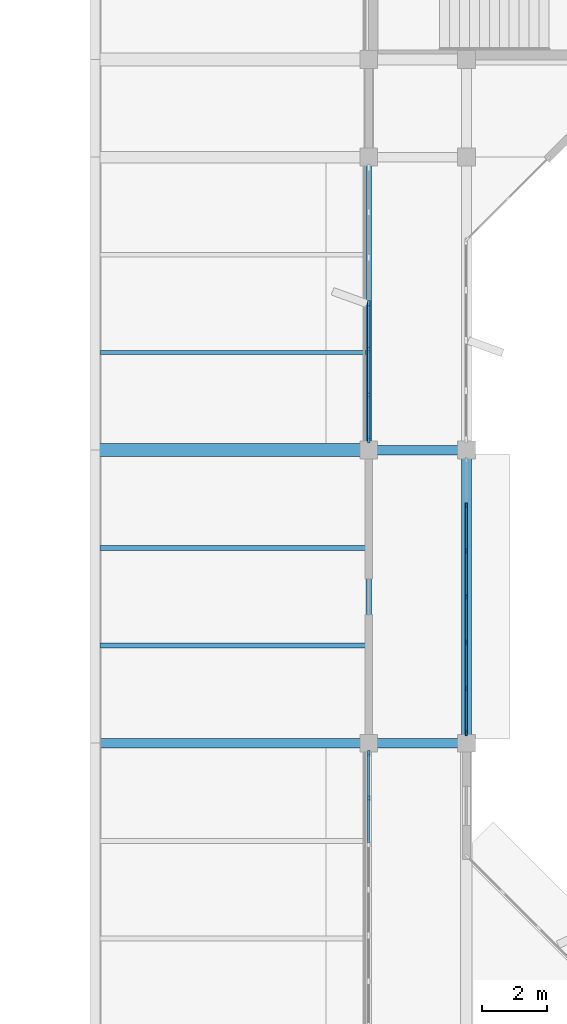
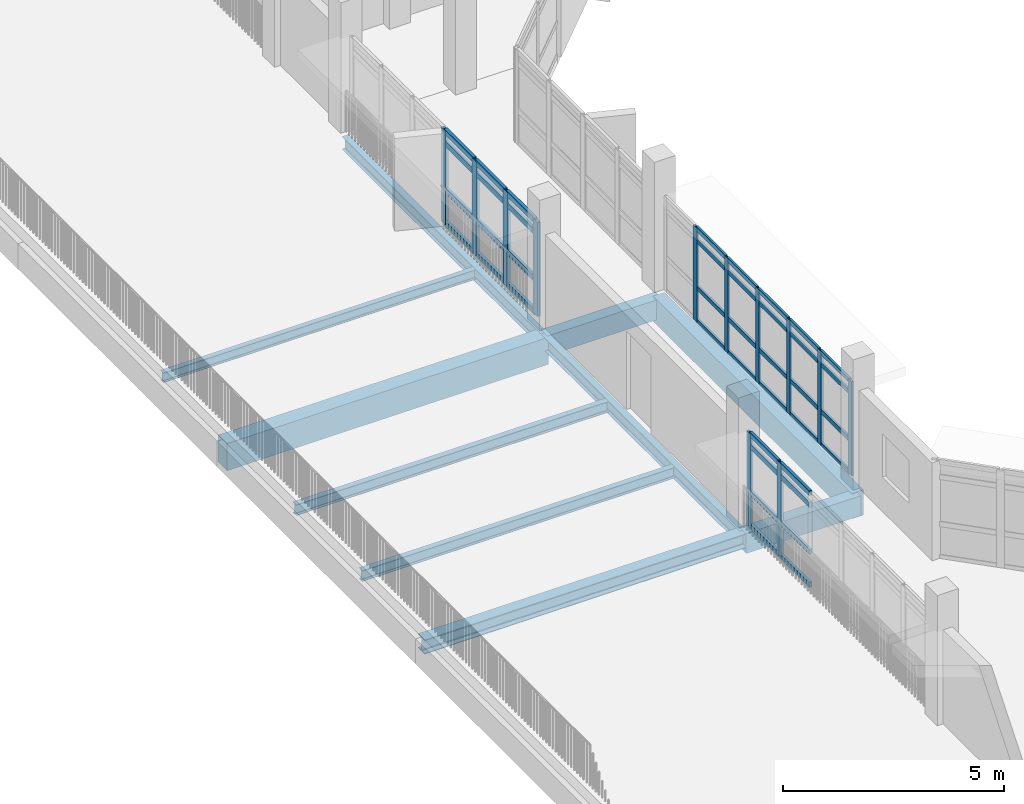
# One storey, part 13 of 92: 52 members, 10 beams, 3 elements without a shape of their own.
"""IFC4 building model written with IfcOpenShell, lengths in metres."""

from ifc_helpers import new_model, si_unit, direction, frame, origin, origin_2d, place, context, subcontext, project, spatial, rectangle, i_section, extrude, material, material_profile, profile_set, type_object, element, aggregate, save


model = new_model("IFC4")

# Units and contexts
model_context = context("Model", 3, precision=1e-05, world=origin(), true_north=direction((0.0, 1.0)))
body_context = subcontext(model_context, "Body", "Model", "MODEL_VIEW")
ifc_project = project(units=[si_unit("LENGTHUNIT", "METRE"), si_unit("AREAUNIT", "SQUARE_METRE"), si_unit("VOLUMEUNIT", "CUBIC_METRE"), si_unit("PLANEANGLEUNIT", "RADIAN"), si_unit("MASSUNIT", "GRAM", prefix="KILO")], contexts=[model_context])

# Site, building, storey
site_placement = place(None, origin())
site = spatial("IfcSite", under=ifc_project, at=site_placement, CompositionType="ELEMENT")
building_placement = place(site_placement, origin())
building = spatial("IfcBuilding", under=site, at=building_placement, Name="Vanh Quang Courtyard School", CompositionType="ELEMENT")
storey_placement = place(building_placement, frame((0.0, 0.0, 7.800048828125)))
storey = spatial("IfcBuildingStorey", under=building, at=storey_placement, Name="L02", CompositionType="ELEMENT", Elevation=7.800048828125)

# Beams
ifc_material_1 = material(Name="Concrete C35/45", Category="concrete")
ifc_material_profile_1 = material_profile(ifc_material_1, rectangle(XDim=0.300048828125, YDim=0.550048828125, at=origin_2d()), Name="RC-BM 300x550")
ifc_profile_set_1 = profile_set([ifc_material_profile_1], Name="Concrete C35/45")
beam_type_1 = type_object("IfcBeamType", Name="BM-RC-300x550", PredefinedType="BEAM", material=ifc_profile_set_1)
for number, where, z_axis, x_axis, name in (
    (1, (37.800048828125, 50.39990234375, -0.594970703125), (1.0, 0.0, 0.0), (0.0, 1.0, 0.0), "Beam B-07 (L02)"),
    (2, (37.800048828125, 59.39990234375, -0.594970703125), (1.0, 0.0, 0.0), (0.0, 1.0, 0.0), "Beam B-07 (L02)"),
):
    element("IfcBeam", number, at=place(storey_placement, frame(where, z_axis=z_axis, x_axis=x_axis)), inside=storey, type_object=beam_type_1, Name=name, PredefinedType="BEAM", context=body_context, shape_type="SweptSolid", body=[
        extrude(rectangle(XDim=0.300048828125, YDim=0.550048828125, at=origin_2d()), origin(), (0.0, 0.0, 1.0), 3.0),
    ])
ifc_material_profile_2 = material_profile(ifc_material_1, rectangle(XDim=0.39990234375, YDim=0.75, at=origin_2d()), Name="RC-BM 400x750")
ifc_profile_set_2 = profile_set([ifc_material_profile_2], Name="Concrete C35/45")
beam_type_2 = type_object("IfcBeamType", Name="BM-RC-400x750", PredefinedType="BEAM", material=ifc_profile_set_2)
beam_1_placement = place(storey_placement, frame((29.39990234375, 59.39990234375, -0.695068359375), z_axis=(1.0, 0.0, 0.0), x_axis=(0.0, 1.0, 0.0)))
element("IfcBeam", 3, at=beam_1_placement, inside=storey, type_object=beam_type_2, Name="Beam B-03 (L02)", PredefinedType="BEAM", context=body_context, shape_type="SweptSolid", body=[
    extrude(rectangle(XDim=0.39990234375, YDim=0.75, at=origin_2d()), origin(), (0.0, 0.0, 1.0), 8.400146484375),
])
ifc_material_profile_3 = material_profile(ifc_material_1, rectangle(XDim=0.300048828125, YDim=0.699951171875, at=origin_2d()), Name="RC-SP 300x700")
ifc_profile_set_3 = profile_set([ifc_material_profile_3], Name="Concrete C35/45")
beam_type_3 = type_object("IfcBeamType", Name="BM-SP-300x700", PredefinedType="SPANDREL", material=ifc_profile_set_3)
beam_2_placement = place(storey_placement, frame((40.800048828125, 50.39990234375, -0.650146484375), z_axis=(0.0, 1.0, 0.0), x_axis=(-1.0, 0.0, 0.0)))
element("IfcBeam", 4, at=beam_2_placement, inside=storey, type_object=beam_type_3, Name="Beam BS-01 (L02)", PredefinedType="SPANDREL", context=body_context, shape_type="SweptSolid", body=[
    extrude(rectangle(XDim=0.300048828125, YDim=0.699951171875, at=origin_2d()), origin(), (0.0, 0.0, 1.0), 9.0),
])
ifc_material_2 = material(Name="Structural steel EN 10025-2 S355J2", Category="steel")
ifc_material_profile_4 = material_profile(ifc_material_2, i_section(OverallWidth=0.300048828125, OverallDepth=0.389892578125, WebThickness=0.010986328125, FlangeThickness=0.01904296875, FilletRadius=0.027099609375, at=origin_2d()), Name="HEA 400")
ifc_profile_set_4 = profile_set([ifc_material_profile_4], Name="Structural steel EN 10025-2 S355J2")
beam_type_4 = type_object("IfcBeamType", Name="BM-STL-HEA400", PredefinedType="BEAM", material=ifc_profile_set_4)
beam_3_placement = place(storey_placement, frame((29.39990234375, 50.39990234375, -0.51513671875), z_axis=(1.0, 0.0, 0.0), x_axis=(0.0, 1.0, 0.0)))
element("IfcBeam", 5, at=beam_3_placement, inside=storey, type_object=beam_type_4, Name="Beam SB-08 (L02)", PredefinedType="BEAM", context=body_context, shape_type="SweptSolid", body=[
    extrude(i_section(OverallWidth=0.300048828125, OverallDepth=0.389892578125, WebThickness=0.010986328125, FlangeThickness=0.01904296875, FilletRadius=0.027099609375, at=origin_2d()), origin(), (0.0, 0.0, 1.0), 8.400146484375),
])
ifc_material_profile_5 = material_profile(ifc_material_2, i_section(OverallWidth=0.169921875, OverallDepth=0.360107421875, WebThickness=0.008056640625, FlangeThickness=0.0126953125, FilletRadius=0.01806640625, at=origin_2d()), Name="IPE 360")
ifc_profile_set_5 = profile_set([ifc_material_profile_5], Name="Structural steel EN 10025-2 S355J2")
beam_type_5 = type_object("IfcBeamType", Name="BM-STL-IPE360", PredefinedType="BEAM", material=ifc_profile_set_5)
for number, where, z_axis, x_axis, name in (
    (6, (37.800048828125, 50.39990234375, -0.5), (0.0, 1.0, 0.0), (-1.0, 0.0, 0.0), "Beam SB-06 (L02)"),
    (7, (37.800048828125, 59.39990234375, -0.5), (0.0, 1.0, 0.0), (-1.0, 0.0, 0.0), "Beam SB-06 (L02)"),
):
    element("IfcBeam", number, at=place(storey_placement, frame(where, z_axis=z_axis, x_axis=x_axis)), inside=storey, type_object=beam_type_5, Name=name, PredefinedType="BEAM", context=body_context, shape_type="SweptSolid", body=[
        extrude(i_section(OverallWidth=0.169921875, OverallDepth=0.360107421875, WebThickness=0.008056640625, FlangeThickness=0.0126953125, FilletRadius=0.01806640625, at=origin_2d()), origin(), (0.0, 0.0, 1.0), 9.0),
    ])

# Curtain wall, members
ifc_material_3 = material(Name="Thermally broken aluminium unitised curtain wall", Category="aluminium")
curtain_wall_type = type_object("IfcCurtainWallType", Name="CW-SYS-48", PredefinedType="NOTDEFINED", material=ifc_material_3)
curtain_wall_1_placement = place(storey_placement, origin())
curtain_wall_1 = element("IfcCurtainWall", 8, at=curtain_wall_1_placement, inside=storey, type_object=curtain_wall_type, Name="Curtain Wall CW-48 (L02)", PredefinedType="NOTDEFINED")
ifc_material_4 = material(Name="Anodised aluminium 6063-T6", Category="aluminium")
ifc_material_profile_6 = material_profile(ifc_material_4, rectangle(XDim=0.06005859375, YDim=0.159912109375, at=origin_2d()), Name="ALU-MUL 60x160")
ifc_profile_set_6 = profile_set([ifc_material_profile_6], Name="Anodised aluminium 6063-T6")
member_type_1 = type_object("IfcMemberType", Name="CW-MUL-60x160", PredefinedType="MULLION", material=ifc_profile_set_6)
member_1_placement = place(storey_placement, frame((40.800048828125, 57.71142578125, 0.0), z_axis=(0.0, 0.0, 1.0), x_axis=(1.0, 0.0, 0.0)))
member_1 = element("IfcMember", 9, at=member_1_placement, type_object=member_type_1, Name="CW-48 mullion 2", PredefinedType="MULLION", context=body_context, shape_type="SweptSolid", body=[
    extrude(rectangle(XDim=0.06005859375, YDim=0.159912109375, at=origin_2d()), origin(), (0.0, 0.0, 1.0), 2.599853515625),
])
member_2_placement = place(storey_placement, frame((40.800048828125, 56.3056640625, 0.0), z_axis=(0.0, 0.0, 1.0), x_axis=(1.0, 0.0, 0.0)))
member_2 = element("IfcMember", 10, at=member_2_placement, type_object=member_type_1, Name="CW-48 mullion 3", PredefinedType="MULLION", context=body_context, shape_type="SweptSolid", body=[
    extrude(rectangle(XDim=0.06005859375, YDim=0.159912109375, at=origin_2d()), origin(), (0.0, 0.0, 1.0), 2.599853515625),
])
member_3_placement = place(storey_placement, frame((40.800048828125, 54.89990234375, 0.0), z_axis=(0.0, 0.0, 1.0), x_axis=(1.0, 0.0, 0.0)))
member_3 = element("IfcMember", 11, at=member_3_placement, type_object=member_type_1, Name="CW-48 mullion 4", PredefinedType="MULLION", context=body_context, shape_type="SweptSolid", body=[
    extrude(rectangle(XDim=0.06005859375, YDim=0.159912109375, at=origin_2d()), origin(), (0.0, 0.0, 1.0), 2.599853515625),
])
member_4_placement = place(storey_placement, frame((40.800048828125, 53.494384765625, 0.0), z_axis=(0.0, 0.0, 1.0), x_axis=(1.0, 0.0, 0.0)))
member_4 = element("IfcMember", 12, at=member_4_placement, type_object=member_type_1, Name="CW-48 mullion 5", PredefinedType="MULLION", context=body_context, shape_type="SweptSolid", body=[
    extrude(rectangle(XDim=0.06005859375, YDim=0.159912109375, at=origin_2d()), origin(), (0.0, 0.0, 1.0), 2.599853515625),
])
member_5_placement = place(storey_placement, frame((40.800048828125, 52.088623046875, 0.0), z_axis=(0.0, 0.0, 1.0), x_axis=(1.0, 0.0, 0.0)))
member_5 = element("IfcMember", 13, at=member_5_placement, type_object=member_type_1, Name="CW-48 mullion 6", PredefinedType="MULLION", context=body_context, shape_type="SweptSolid", body=[
    extrude(rectangle(XDim=0.06005859375, YDim=0.159912109375, at=origin_2d()), origin(), (0.0, 0.0, 1.0), 2.599853515625),
])
member_6_placement = place(storey_placement, frame((40.800048828125, 50.712890625, 0.0), z_axis=(0.0, 0.0, 1.0), x_axis=(1.0, 0.0, 0.0)))
member_6 = element("IfcMember", 14, at=member_6_placement, type_object=member_type_1, Name="CW-48 mullion 7", PredefinedType="MULLION", context=body_context, shape_type="SweptSolid", body=[
    extrude(rectangle(XDim=0.06005859375, YDim=0.159912109375, at=origin_2d()), origin(), (0.0, 0.0, 1.0), 2.599853515625),
])

curtain_wall_2_placement = place(storey_placement, origin())
curtain_wall_2 = element("IfcCurtainWall", 15, at=curtain_wall_2_placement, inside=storey, type_object=curtain_wall_type, Name="Curtain Wall CW-48 (L02)", PredefinedType="NOTDEFINED")
ifc_material_profile_7 = material_profile(ifc_material_4, rectangle(XDim=0.070068359375, YDim=0.179931640625, at=origin_2d()), Name="ALU-MUL 70x180")
ifc_profile_set_7 = profile_set([ifc_material_profile_7], Name="Anodised aluminium 6063-T6")
member_type_2 = type_object("IfcMemberType", Name="CW-MUL-70x180", PredefinedType="MULLION", material=ifc_profile_set_7)
member_7_placement = place(storey_placement, frame((37.800048828125, 48.71142578125, 0.0), z_axis=(0.0, 0.0, 1.0), x_axis=(-1.0, 0.0, 0.0)))
member_7 = element("IfcMember", 16, at=member_7_placement, type_object=member_type_2, Name="CW-48 mullion 6", PredefinedType="MULLION", context=body_context, shape_type="SweptSolid", body=[
    extrude(rectangle(XDim=0.070068359375, YDim=0.179931640625, at=origin_2d()), origin(), (0.0, 0.0, 1.0), 2.599853515625),
])
member_8_placement = place(storey_placement, frame((37.800048828125, 50.08203125, 0.0), z_axis=(0.0, 0.0, 1.0), x_axis=(-1.0, 0.0, 0.0)))
member_8 = element("IfcMember", 17, at=member_8_placement, type_object=member_type_2, Name="CW-48 mullion 7", PredefinedType="MULLION", context=body_context, shape_type="SweptSolid", body=[
    extrude(rectangle(XDim=0.070068359375, YDim=0.179931640625, at=origin_2d()), origin(), (0.0, 0.0, 1.0), 2.599853515625),
])

curtain_wall_3_placement = place(storey_placement, origin())
curtain_wall_3 = element("IfcCurtainWall", 18, at=curtain_wall_3_placement, inside=storey, type_object=curtain_wall_type, Name="Curtain Wall CW-48 (L02)", PredefinedType="NOTDEFINED")
ifc_material_profile_8 = material_profile(ifc_material_4, rectangle(XDim=0.080078125, YDim=0.199951171875, at=origin_2d()), Name="ALU-MUL 80x200")
ifc_profile_set_8 = profile_set([ifc_material_profile_8], Name="Anodised aluminium 6063-T6")
member_type_3 = type_object("IfcMemberType", Name="CW-MUL-80x200", PredefinedType="MULLION", material=ifc_profile_set_8)
member_9_placement = place(storey_placement, frame((37.800048828125, 59.722900390625, 0.0), z_axis=(0.0, 0.0, 1.0), x_axis=(-1.0, 0.0, 0.0)))
member_9 = element("IfcMember", 19, at=member_9_placement, type_object=member_type_3, Name="CW-48 mullion 1", PredefinedType="MULLION", context=body_context, shape_type="SweptSolid", body=[
    extrude(rectangle(XDim=0.080078125, YDim=0.199951171875, at=origin_2d()), origin(), (0.0, 0.0, 1.0), 2.599853515625),
])
member_10_placement = place(storey_placement, frame((37.800048828125, 61.088623046875, 0.0), z_axis=(0.0, 0.0, 1.0), x_axis=(-1.0, 0.0, 0.0)))
member_10 = element("IfcMember", 20, at=member_10_placement, type_object=member_type_3, Name="CW-48 mullion 2", PredefinedType="MULLION", context=body_context, shape_type="SweptSolid", body=[
    extrude(rectangle(XDim=0.080078125, YDim=0.199951171875, at=origin_2d()), origin(), (0.0, 0.0, 1.0), 2.599853515625),
])
member_11_placement = place(storey_placement, frame((37.800048828125, 62.494384765625, 0.0), z_axis=(0.0, 0.0, 1.0), x_axis=(-1.0, 0.0, 0.0)))
member_11 = element("IfcMember", 21, at=member_11_placement, type_object=member_type_3, Name="CW-48 mullion 3", PredefinedType="MULLION", context=body_context, shape_type="SweptSolid", body=[
    extrude(rectangle(XDim=0.080078125, YDim=0.199951171875, at=origin_2d()), origin(), (0.0, 0.0, 1.0), 2.599853515625),
])
member_12_placement = place(storey_placement, frame((37.800048828125, 63.89990234375, 0.0), z_axis=(0.0, 0.0, 1.0), x_axis=(-1.0, 0.0, 0.0)))
member_12 = element("IfcMember", 22, at=member_12_placement, type_object=member_type_3, Name="CW-48 mullion 4", PredefinedType="MULLION", context=body_context, shape_type="SweptSolid", body=[
    extrude(rectangle(XDim=0.080078125, YDim=0.199951171875, at=origin_2d()), origin(), (0.0, 0.0, 1.0), 2.599853515625),
])

# Member
ifc_material_profile_9 = material_profile(ifc_material_4, rectangle(XDim=0.06005859375, YDim=0.1201171875, at=origin_2d()), Name="ALU-TRN 60x120")
ifc_profile_set_9 = profile_set([ifc_material_profile_9], Name="Anodised aluminium 6063-T6")
member_type_4 = type_object("IfcMemberType", Name="CW-TRN-60x120", PredefinedType="USERDEFINED", material=ifc_profile_set_9)
member_13_placement = place(storey_placement, frame((40.800048828125, 57.681396484375, 0.030029296875), z_axis=(0.0, -1.0, 0.0), x_axis=(1.0, 0.0, 0.0)))
member_13 = element("IfcMember", 23, at=member_13_placement, type_object=member_type_4, Name="CW-48 transom 2.1", ObjectType="TRANSOM", PredefinedType="USERDEFINED", context=body_context, shape_type="SweptSolid", body=[
    extrude(rectangle(XDim=0.06005859375, YDim=0.1201171875, at=origin_2d()), origin(), (0.0, 0.0, 1.0), 1.345703125),
])

member_14_placement = place(storey_placement, frame((40.800048828125, 57.681396484375, 0.949951171875), z_axis=(0.0, -1.0, 0.0), x_axis=(1.0, 0.0, 0.0)))
member_14 = element("IfcMember", 24, at=member_14_placement, type_object=member_type_4, Name="CW-48 transom 2.2", ObjectType="TRANSOM", PredefinedType="USERDEFINED", context=body_context, shape_type="SweptSolid", body=[
    extrude(rectangle(XDim=0.06005859375, YDim=0.1201171875, at=origin_2d()), origin(), (0.0, 0.0, 1.0), 1.345703125),
])

member_15_placement = place(storey_placement, frame((40.800048828125, 57.681396484375, 2.25), z_axis=(0.0, -1.0, 0.0), x_axis=(1.0, 0.0, 0.0)))
member_15 = element("IfcMember", 25, at=member_15_placement, type_object=member_type_4, Name="CW-48 transom 2.3", ObjectType="TRANSOM", PredefinedType="USERDEFINED", context=body_context, shape_type="SweptSolid", body=[
    extrude(rectangle(XDim=0.06005859375, YDim=0.1201171875, at=origin_2d()), origin(), (0.0, 0.0, 1.0), 1.345703125),
])

member_16_placement = place(storey_placement, frame((40.800048828125, 57.681396484375, 2.570068359375), z_axis=(0.0, -1.0, 0.0), x_axis=(1.0, 0.0, 0.0)))
member_16 = element("IfcMember", 26, at=member_16_placement, type_object=member_type_4, Name="CW-48 transom 2.4", ObjectType="TRANSOM", PredefinedType="USERDEFINED", context=body_context, shape_type="SweptSolid", body=[
    extrude(rectangle(XDim=0.06005859375, YDim=0.1201171875, at=origin_2d()), origin(), (0.0, 0.0, 1.0), 1.345703125),
])

member_17_placement = place(storey_placement, frame((40.800048828125, 56.275634765625, 0.030029296875), z_axis=(0.0, -1.0, 0.0), x_axis=(1.0, 0.0, 0.0)))
member_17 = element("IfcMember", 27, at=member_17_placement, type_object=member_type_4, Name="CW-48 transom 3.1", ObjectType="TRANSOM", PredefinedType="USERDEFINED", context=body_context, shape_type="SweptSolid", body=[
    extrude(rectangle(XDim=0.06005859375, YDim=0.1201171875, at=origin_2d()), origin(), (0.0, 0.0, 1.0), 1.345703125),
])

member_18_placement = place(storey_placement, frame((40.800048828125, 56.275634765625, 0.949951171875), z_axis=(0.0, -1.0, 0.0), x_axis=(1.0, 0.0, 0.0)))
member_18 = element("IfcMember", 28, at=member_18_placement, type_object=member_type_4, Name="CW-48 transom 3.2", ObjectType="TRANSOM", PredefinedType="USERDEFINED", context=body_context, shape_type="SweptSolid", body=[
    extrude(rectangle(XDim=0.06005859375, YDim=0.1201171875, at=origin_2d()), origin(), (0.0, 0.0, 1.0), 1.345703125),
])

member_19_placement = place(storey_placement, frame((40.800048828125, 56.275634765625, 2.25), z_axis=(0.0, -1.0, 0.0), x_axis=(1.0, 0.0, 0.0)))
member_19 = element("IfcMember", 29, at=member_19_placement, type_object=member_type_4, Name="CW-48 transom 3.3", ObjectType="TRANSOM", PredefinedType="USERDEFINED", context=body_context, shape_type="SweptSolid", body=[
    extrude(rectangle(XDim=0.06005859375, YDim=0.1201171875, at=origin_2d()), origin(), (0.0, 0.0, 1.0), 1.345703125),
])

member_20_placement = place(storey_placement, frame((40.800048828125, 56.275634765625, 2.570068359375), z_axis=(0.0, -1.0, 0.0), x_axis=(1.0, 0.0, 0.0)))
member_20 = element("IfcMember", 30, at=member_20_placement, type_object=member_type_4, Name="CW-48 transom 3.4", ObjectType="TRANSOM", PredefinedType="USERDEFINED", context=body_context, shape_type="SweptSolid", body=[
    extrude(rectangle(XDim=0.06005859375, YDim=0.1201171875, at=origin_2d()), origin(), (0.0, 0.0, 1.0), 1.345703125),
])

member_21_placement = place(storey_placement, frame((40.800048828125, 54.8701171875, 0.030029296875), z_axis=(0.0, -1.0, 0.0), x_axis=(1.0, 0.0, 0.0)))
member_21 = element("IfcMember", 31, at=member_21_placement, type_object=member_type_4, Name="CW-48 transom 4.1", ObjectType="TRANSOM", PredefinedType="USERDEFINED", context=body_context, shape_type="SweptSolid", body=[
    extrude(rectangle(XDim=0.06005859375, YDim=0.1201171875, at=origin_2d()), origin(), (0.0, 0.0, 1.0), 1.345703125),
])

member_22_placement = place(storey_placement, frame((40.800048828125, 54.8701171875, 0.949951171875), z_axis=(0.0, -1.0, 0.0), x_axis=(1.0, 0.0, 0.0)))
member_22 = element("IfcMember", 32, at=member_22_placement, type_object=member_type_4, Name="CW-48 transom 4.2", ObjectType="TRANSOM", PredefinedType="USERDEFINED", context=body_context, shape_type="SweptSolid", body=[
    extrude(rectangle(XDim=0.06005859375, YDim=0.1201171875, at=origin_2d()), origin(), (0.0, 0.0, 1.0), 1.345703125),
])

member_23_placement = place(storey_placement, frame((40.800048828125, 54.8701171875, 2.25), z_axis=(0.0, -1.0, 0.0), x_axis=(1.0, 0.0, 0.0)))
member_23 = element("IfcMember", 33, at=member_23_placement, type_object=member_type_4, Name="CW-48 transom 4.3", ObjectType="TRANSOM", PredefinedType="USERDEFINED", context=body_context, shape_type="SweptSolid", body=[
    extrude(rectangle(XDim=0.06005859375, YDim=0.1201171875, at=origin_2d()), origin(), (0.0, 0.0, 1.0), 1.345703125),
])

member_24_placement = place(storey_placement, frame((40.800048828125, 54.8701171875, 2.570068359375), z_axis=(0.0, -1.0, 0.0), x_axis=(1.0, 0.0, 0.0)))
member_24 = element("IfcMember", 34, at=member_24_placement, type_object=member_type_4, Name="CW-48 transom 4.4", ObjectType="TRANSOM", PredefinedType="USERDEFINED", context=body_context, shape_type="SweptSolid", body=[
    extrude(rectangle(XDim=0.06005859375, YDim=0.1201171875, at=origin_2d()), origin(), (0.0, 0.0, 1.0), 1.345703125),
])

member_25_placement = place(storey_placement, frame((40.800048828125, 53.46435546875, 0.030029296875), z_axis=(0.0, -1.0, 0.0), x_axis=(1.0, 0.0, 0.0)))
member_25 = element("IfcMember", 35, at=member_25_placement, type_object=member_type_4, Name="CW-48 transom 5.1", ObjectType="TRANSOM", PredefinedType="USERDEFINED", context=body_context, shape_type="SweptSolid", body=[
    extrude(rectangle(XDim=0.06005859375, YDim=0.1201171875, at=origin_2d()), origin(), (0.0, 0.0, 1.0), 1.345703125),
])

member_26_placement = place(storey_placement, frame((40.800048828125, 53.46435546875, 0.949951171875), z_axis=(0.0, -1.0, 0.0), x_axis=(1.0, 0.0, 0.0)))
member_26 = element("IfcMember", 36, at=member_26_placement, type_object=member_type_4, Name="CW-48 transom 5.2", ObjectType="TRANSOM", PredefinedType="USERDEFINED", context=body_context, shape_type="SweptSolid", body=[
    extrude(rectangle(XDim=0.06005859375, YDim=0.1201171875, at=origin_2d()), origin(), (0.0, 0.0, 1.0), 1.345703125),
])

member_27_placement = place(storey_placement, frame((40.800048828125, 53.46435546875, 2.25), z_axis=(0.0, -1.0, 0.0), x_axis=(1.0, 0.0, 0.0)))
member_27 = element("IfcMember", 37, at=member_27_placement, type_object=member_type_4, Name="CW-48 transom 5.3", ObjectType="TRANSOM", PredefinedType="USERDEFINED", context=body_context, shape_type="SweptSolid", body=[
    extrude(rectangle(XDim=0.06005859375, YDim=0.1201171875, at=origin_2d()), origin(), (0.0, 0.0, 1.0), 1.345703125),
])

member_28_placement = place(storey_placement, frame((40.800048828125, 53.46435546875, 2.570068359375), z_axis=(0.0, -1.0, 0.0), x_axis=(1.0, 0.0, 0.0)))
member_28 = element("IfcMember", 38, at=member_28_placement, type_object=member_type_4, Name="CW-48 transom 5.4", ObjectType="TRANSOM", PredefinedType="USERDEFINED", context=body_context, shape_type="SweptSolid", body=[
    extrude(rectangle(XDim=0.06005859375, YDim=0.1201171875, at=origin_2d()), origin(), (0.0, 0.0, 1.0), 1.345703125),
])

member_29_placement = place(storey_placement, frame((40.800048828125, 52.05859375, 0.030029296875), z_axis=(0.0, -1.0, 0.0), x_axis=(1.0, 0.0, 0.0)))
member_29 = element("IfcMember", 39, at=member_29_placement, type_object=member_type_4, Name="CW-48 transom 6.1", ObjectType="TRANSOM", PredefinedType="USERDEFINED", context=body_context, shape_type="SweptSolid", body=[
    extrude(rectangle(XDim=0.06005859375, YDim=0.1201171875, at=origin_2d()), origin(), (0.0, 0.0, 1.0), 1.315673828125),
])

member_30_placement = place(storey_placement, frame((40.800048828125, 52.05859375, 0.949951171875), z_axis=(0.0, -1.0, 0.0), x_axis=(1.0, 0.0, 0.0)))
member_30 = element("IfcMember", 40, at=member_30_placement, type_object=member_type_4, Name="CW-48 transom 6.2", ObjectType="TRANSOM", PredefinedType="USERDEFINED", context=body_context, shape_type="SweptSolid", body=[
    extrude(rectangle(XDim=0.06005859375, YDim=0.1201171875, at=origin_2d()), origin(), (0.0, 0.0, 1.0), 1.315673828125),
])

member_31_placement = place(storey_placement, frame((40.800048828125, 52.05859375, 2.25), z_axis=(0.0, -1.0, 0.0), x_axis=(1.0, 0.0, 0.0)))
member_31 = element("IfcMember", 41, at=member_31_placement, type_object=member_type_4, Name="CW-48 transom 6.3", ObjectType="TRANSOM", PredefinedType="USERDEFINED", context=body_context, shape_type="SweptSolid", body=[
    extrude(rectangle(XDim=0.06005859375, YDim=0.1201171875, at=origin_2d()), origin(), (0.0, 0.0, 1.0), 1.315673828125),
])

member_32_placement = place(storey_placement, frame((40.800048828125, 52.05859375, 2.570068359375), z_axis=(0.0, -1.0, 0.0), x_axis=(1.0, 0.0, 0.0)))
member_32 = element("IfcMember", 42, at=member_32_placement, type_object=member_type_4, Name="CW-48 transom 6.4", ObjectType="TRANSOM", PredefinedType="USERDEFINED", context=body_context, shape_type="SweptSolid", body=[
    extrude(rectangle(XDim=0.06005859375, YDim=0.1201171875, at=origin_2d()), origin(), (0.0, 0.0, 1.0), 1.315673828125),
])

aggregate(curtain_wall_1, [member_1, member_2, member_3, member_4, member_5, member_6, member_13, member_14, member_15, member_16, member_17, member_18, member_19, member_20, member_21, member_22, member_23, member_24, member_25, member_26, member_27, member_28, member_29, member_30, member_31, member_32])

ifc_material_profile_10 = material_profile(ifc_material_4, rectangle(XDim=0.070068359375, YDim=0.139892578125, at=origin_2d()), Name="ALU-TRN 70x140")
ifc_profile_set_10 = profile_set([ifc_material_profile_10], Name="Anodised aluminium 6063-T6")
member_type_5 = type_object("IfcMemberType", Name="CW-TRN-70x140", PredefinedType="USERDEFINED", material=ifc_profile_set_10)
member_33_placement = place(storey_placement, frame((37.800048828125, 47.340576171875, 0.034912109375), z_axis=(0.0, 1.0, 0.0), x_axis=(-1.0, 0.0, 0.0)))
member_33 = element("IfcMember", 43, at=member_33_placement, type_object=member_type_5, Name="CW-48 transom 5.1", ObjectType="TRANSOM", PredefinedType="USERDEFINED", context=body_context, shape_type="SweptSolid", body=[
    extrude(rectangle(XDim=0.070068359375, YDim=0.139892578125, at=origin_2d()), origin(), (0.0, 0.0, 1.0), 1.335693359375),
])

member_34_placement = place(storey_placement, frame((37.800048828125, 47.340576171875, 0.949951171875), z_axis=(0.0, 1.0, 0.0), x_axis=(-1.0, 0.0, 0.0)))
member_34 = element("IfcMember", 44, at=member_34_placement, type_object=member_type_5, Name="CW-48 transom 5.2", ObjectType="TRANSOM", PredefinedType="USERDEFINED", context=body_context, shape_type="SweptSolid", body=[
    extrude(rectangle(XDim=0.070068359375, YDim=0.139892578125, at=origin_2d()), origin(), (0.0, 0.0, 1.0), 1.335693359375),
])

member_35_placement = place(storey_placement, frame((37.800048828125, 47.340576171875, 2.25), z_axis=(0.0, 1.0, 0.0), x_axis=(-1.0, 0.0, 0.0)))
member_35 = element("IfcMember", 45, at=member_35_placement, type_object=member_type_5, Name="CW-48 transom 5.3", ObjectType="TRANSOM", PredefinedType="USERDEFINED", context=body_context, shape_type="SweptSolid", body=[
    extrude(rectangle(XDim=0.070068359375, YDim=0.139892578125, at=origin_2d()), origin(), (0.0, 0.0, 1.0), 1.335693359375),
])

member_36_placement = place(storey_placement, frame((37.800048828125, 47.340576171875, 2.56494140625), z_axis=(0.0, 1.0, 0.0), x_axis=(-1.0, 0.0, 0.0)))
member_36 = element("IfcMember", 46, at=member_36_placement, type_object=member_type_5, Name="CW-48 transom 5.4", ObjectType="TRANSOM", PredefinedType="USERDEFINED", context=body_context, shape_type="SweptSolid", body=[
    extrude(rectangle(XDim=0.070068359375, YDim=0.139892578125, at=origin_2d()), origin(), (0.0, 0.0, 1.0), 1.335693359375),
])

member_37_placement = place(storey_placement, frame((37.800048828125, 48.746337890625, 0.034912109375), z_axis=(0.0, 1.0, 0.0), x_axis=(-1.0, 0.0, 0.0)))
member_37 = element("IfcMember", 47, at=member_37_placement, type_object=member_type_5, Name="CW-48 transom 6.1", ObjectType="TRANSOM", PredefinedType="USERDEFINED", context=body_context, shape_type="SweptSolid", body=[
    extrude(rectangle(XDim=0.070068359375, YDim=0.139892578125, at=origin_2d()), origin(), (0.0, 0.0, 1.0), 1.30078125),
])

member_38_placement = place(storey_placement, frame((37.800048828125, 48.746337890625, 0.949951171875), z_axis=(0.0, 1.0, 0.0), x_axis=(-1.0, 0.0, 0.0)))
member_38 = element("IfcMember", 48, at=member_38_placement, type_object=member_type_5, Name="CW-48 transom 6.2", ObjectType="TRANSOM", PredefinedType="USERDEFINED", context=body_context, shape_type="SweptSolid", body=[
    extrude(rectangle(XDim=0.070068359375, YDim=0.139892578125, at=origin_2d()), origin(), (0.0, 0.0, 1.0), 1.30078125),
])

member_39_placement = place(storey_placement, frame((37.800048828125, 48.746337890625, 2.25), z_axis=(0.0, 1.0, 0.0), x_axis=(-1.0, 0.0, 0.0)))
member_39 = element("IfcMember", 49, at=member_39_placement, type_object=member_type_5, Name="CW-48 transom 6.3", ObjectType="TRANSOM", PredefinedType="USERDEFINED", context=body_context, shape_type="SweptSolid", body=[
    extrude(rectangle(XDim=0.070068359375, YDim=0.139892578125, at=origin_2d()), origin(), (0.0, 0.0, 1.0), 1.30078125),
])

member_40_placement = place(storey_placement, frame((37.800048828125, 48.746337890625, 2.56494140625), z_axis=(0.0, 1.0, 0.0), x_axis=(-1.0, 0.0, 0.0)))
member_40 = element("IfcMember", 50, at=member_40_placement, type_object=member_type_5, Name="CW-48 transom 6.4", ObjectType="TRANSOM", PredefinedType="USERDEFINED", context=body_context, shape_type="SweptSolid", body=[
    extrude(rectangle(XDim=0.070068359375, YDim=0.139892578125, at=origin_2d()), origin(), (0.0, 0.0, 1.0), 1.30078125),
])

aggregate(curtain_wall_2, [member_7, member_8, member_33, member_34, member_35, member_36, member_37, member_38, member_39, member_40])

ifc_material_profile_11 = material_profile(ifc_material_4, rectangle(XDim=0.080078125, YDim=0.14990234375, at=origin_2d()), Name="ALU-TRN 80x150")
ifc_profile_set_11 = profile_set([ifc_material_profile_11], Name="Anodised aluminium 6063-T6")
member_type_6 = type_object("IfcMemberType", Name="CW-TRN-80x150", PredefinedType="USERDEFINED", material=ifc_profile_set_11)
member_41_placement = place(storey_placement, frame((37.800048828125, 59.762939453125, 0.0400390625), z_axis=(0.0, 1.0, 0.0), x_axis=(-1.0, 0.0, 0.0)))
member_41 = element("IfcMember", 51, at=member_41_placement, type_object=member_type_6, Name="CW-48 transom 1.1", ObjectType="TRANSOM", PredefinedType="USERDEFINED", context=body_context, shape_type="SweptSolid", body=[
    extrude(rectangle(XDim=0.080078125, YDim=0.14990234375, at=origin_2d()), origin(), (0.0, 0.0, 1.0), 1.28564453125),
])

member_42_placement = place(storey_placement, frame((37.800048828125, 59.762939453125, 0.949951171875), z_axis=(0.0, 1.0, 0.0), x_axis=(-1.0, 0.0, 0.0)))
member_42 = element("IfcMember", 52, at=member_42_placement, type_object=member_type_6, Name="CW-48 transom 1.2", ObjectType="TRANSOM", PredefinedType="USERDEFINED", context=body_context, shape_type="SweptSolid", body=[
    extrude(rectangle(XDim=0.080078125, YDim=0.14990234375, at=origin_2d()), origin(), (0.0, 0.0, 1.0), 1.28564453125),
])

member_43_placement = place(storey_placement, frame((37.800048828125, 59.762939453125, 2.25), z_axis=(0.0, 1.0, 0.0), x_axis=(-1.0, 0.0, 0.0)))
member_43 = element("IfcMember", 53, at=member_43_placement, type_object=member_type_6, Name="CW-48 transom 1.3", ObjectType="TRANSOM", PredefinedType="USERDEFINED", context=body_context, shape_type="SweptSolid", body=[
    extrude(rectangle(XDim=0.080078125, YDim=0.14990234375, at=origin_2d()), origin(), (0.0, 0.0, 1.0), 1.28564453125),
])

member_44_placement = place(storey_placement, frame((37.800048828125, 59.762939453125, 2.56005859375), z_axis=(0.0, 1.0, 0.0), x_axis=(-1.0, 0.0, 0.0)))
member_44 = element("IfcMember", 54, at=member_44_placement, type_object=member_type_6, Name="CW-48 transom 1.4", ObjectType="TRANSOM", PredefinedType="USERDEFINED", context=body_context, shape_type="SweptSolid", body=[
    extrude(rectangle(XDim=0.080078125, YDim=0.14990234375, at=origin_2d()), origin(), (0.0, 0.0, 1.0), 1.28564453125),
])

member_45_placement = place(storey_placement, frame((37.800048828125, 61.128662109375, 0.0400390625), z_axis=(0.0, 1.0, 0.0), x_axis=(-1.0, 0.0, 0.0)))
member_45 = element("IfcMember", 55, at=member_45_placement, type_object=member_type_6, Name="CW-48 transom 2.1", ObjectType="TRANSOM", PredefinedType="USERDEFINED", context=body_context, shape_type="SweptSolid", body=[
    extrude(rectangle(XDim=0.080078125, YDim=0.14990234375, at=origin_2d()), origin(), (0.0, 0.0, 1.0), 1.32568359375),
])

member_46_placement = place(storey_placement, frame((37.800048828125, 61.128662109375, 0.949951171875), z_axis=(0.0, 1.0, 0.0), x_axis=(-1.0, 0.0, 0.0)))
member_46 = element("IfcMember", 56, at=member_46_placement, type_object=member_type_6, Name="CW-48 transom 2.2", ObjectType="TRANSOM", PredefinedType="USERDEFINED", context=body_context, shape_type="SweptSolid", body=[
    extrude(rectangle(XDim=0.080078125, YDim=0.14990234375, at=origin_2d()), origin(), (0.0, 0.0, 1.0), 1.32568359375),
])

member_47_placement = place(storey_placement, frame((37.800048828125, 61.128662109375, 2.25), z_axis=(0.0, 1.0, 0.0), x_axis=(-1.0, 0.0, 0.0)))
member_47 = element("IfcMember", 57, at=member_47_placement, type_object=member_type_6, Name="CW-48 transom 2.3", ObjectType="TRANSOM", PredefinedType="USERDEFINED", context=body_context, shape_type="SweptSolid", body=[
    extrude(rectangle(XDim=0.080078125, YDim=0.14990234375, at=origin_2d()), origin(), (0.0, 0.0, 1.0), 1.32568359375),
])

member_48_placement = place(storey_placement, frame((37.800048828125, 61.128662109375, 2.56005859375), z_axis=(0.0, 1.0, 0.0), x_axis=(-1.0, 0.0, 0.0)))
member_48 = element("IfcMember", 58, at=member_48_placement, type_object=member_type_6, Name="CW-48 transom 2.4", ObjectType="TRANSOM", PredefinedType="USERDEFINED", context=body_context, shape_type="SweptSolid", body=[
    extrude(rectangle(XDim=0.080078125, YDim=0.14990234375, at=origin_2d()), origin(), (0.0, 0.0, 1.0), 1.32568359375),
])

member_49_placement = place(storey_placement, frame((37.800048828125, 62.534423828125, 0.0400390625), z_axis=(0.0, 1.0, 0.0), x_axis=(-1.0, 0.0, 0.0)))
member_49 = element("IfcMember", 59, at=member_49_placement, type_object=member_type_6, Name="CW-48 transom 3.1", ObjectType="TRANSOM", PredefinedType="USERDEFINED", context=body_context, shape_type="SweptSolid", body=[
    extrude(rectangle(XDim=0.080078125, YDim=0.14990234375, at=origin_2d()), origin(), (0.0, 0.0, 1.0), 1.32568359375),
])

member_50_placement = place(storey_placement, frame((37.800048828125, 62.534423828125, 0.949951171875), z_axis=(0.0, 1.0, 0.0), x_axis=(-1.0, 0.0, 0.0)))
member_50 = element("IfcMember", 60, at=member_50_placement, type_object=member_type_6, Name="CW-48 transom 3.2", ObjectType="TRANSOM", PredefinedType="USERDEFINED", context=body_context, shape_type="SweptSolid", body=[
    extrude(rectangle(XDim=0.080078125, YDim=0.14990234375, at=origin_2d()), origin(), (0.0, 0.0, 1.0), 1.32568359375),
])

member_51_placement = place(storey_placement, frame((37.800048828125, 62.534423828125, 2.25), z_axis=(0.0, 1.0, 0.0), x_axis=(-1.0, 0.0, 0.0)))
member_51 = element("IfcMember", 61, at=member_51_placement, type_object=member_type_6, Name="CW-48 transom 3.3", ObjectType="TRANSOM", PredefinedType="USERDEFINED", context=body_context, shape_type="SweptSolid", body=[
    extrude(rectangle(XDim=0.080078125, YDim=0.14990234375, at=origin_2d()), origin(), (0.0, 0.0, 1.0), 1.32568359375),
])

member_52_placement = place(storey_placement, frame((37.800048828125, 62.534423828125, 2.56005859375), z_axis=(0.0, 1.0, 0.0), x_axis=(-1.0, 0.0, 0.0)))
member_52 = element("IfcMember", 62, at=member_52_placement, type_object=member_type_6, Name="CW-48 transom 3.4", ObjectType="TRANSOM", PredefinedType="USERDEFINED", context=body_context, shape_type="SweptSolid", body=[
    extrude(rectangle(XDim=0.080078125, YDim=0.14990234375, at=origin_2d()), origin(), (0.0, 0.0, 1.0), 1.32568359375),
])

aggregate(curtain_wall_3, [member_9, member_10, member_11, member_12, member_41, member_42, member_43, member_44, member_45, member_46, member_47, member_48, member_49, member_50, member_51, member_52])

# Beams
ifc_material_profile_12 = material_profile(ifc_material_2, i_section(OverallWidth=0.135009765625, OverallDepth=0.27001953125, WebThickness=0.006591796875, FlangeThickness=0.01025390625, FilletRadius=0.014892578125, at=origin_2d()), Name="IPE 270")
ifc_profile_set_12 = profile_set([ifc_material_profile_12], Name="Structural steel EN 10025-2 S355J2")
beam_type_6 = type_object("IfcBeamType", Name="JST-STL-IPE270", PredefinedType="JOIST", material=ifc_profile_set_12)
beam_4_placement = place(storey_placement, frame((29.550048828125, 62.39990234375, -0.455078125), z_axis=(1.0, 0.0, 0.0), x_axis=(0.0, 1.0, 0.0)))
element("IfcBeam", 63, at=beam_4_placement, inside=storey, type_object=beam_type_6, Name="Beam SJ-03 (L02)", PredefinedType="JOIST", context=body_context, shape_type="SweptSolid", body=[
    extrude(i_section(OverallWidth=0.135009765625, OverallDepth=0.27001953125, WebThickness=0.006591796875, FlangeThickness=0.01025390625, FilletRadius=0.014892578125, at=origin_2d()), origin(), (0.0, 0.0, 1.0), 8.1650390625),
])
ifc_material_profile_13 = material_profile(ifc_material_2, i_section(OverallWidth=0.14990234375, OverallDepth=0.300048828125, WebThickness=0.007080078125, FlangeThickness=0.0107421875, FilletRadius=0.014892578125, at=origin_2d()), Name="IPE 300")
ifc_profile_set_13 = profile_set([ifc_material_profile_13], Name="Structural steel EN 10025-2 S355J2")
beam_type_7 = type_object("IfcBeamType", Name="JST-STL-IPE300", PredefinedType="JOIST", material=ifc_profile_set_13)
for number, where, z_axis, x_axis, name in (
    (64, (29.550048828125, 53.39990234375, -0.469970703125), (1.0, 0.0, 0.0), (0.0, 1.0, 0.0), "Beam SJ-02 (L02)"),
    (65, (29.550048828125, 56.39990234375, -0.469970703125), (1.0, 0.0, 0.0), (0.0, 1.0, 0.0), "Beam SJ-02 (L02)"),
):
    element("IfcBeam", number, at=place(storey_placement, frame(where, z_axis=z_axis, x_axis=x_axis)), inside=storey, type_object=beam_type_7, Name=name, PredefinedType="JOIST", context=body_context, shape_type="SweptSolid", body=[
        extrude(i_section(OverallWidth=0.14990234375, OverallDepth=0.300048828125, WebThickness=0.007080078125, FlangeThickness=0.0107421875, FilletRadius=0.014892578125, at=origin_2d()), origin(), (0.0, 0.0, 1.0), 8.1650390625),
    ])

save(model, "model.ifc")
